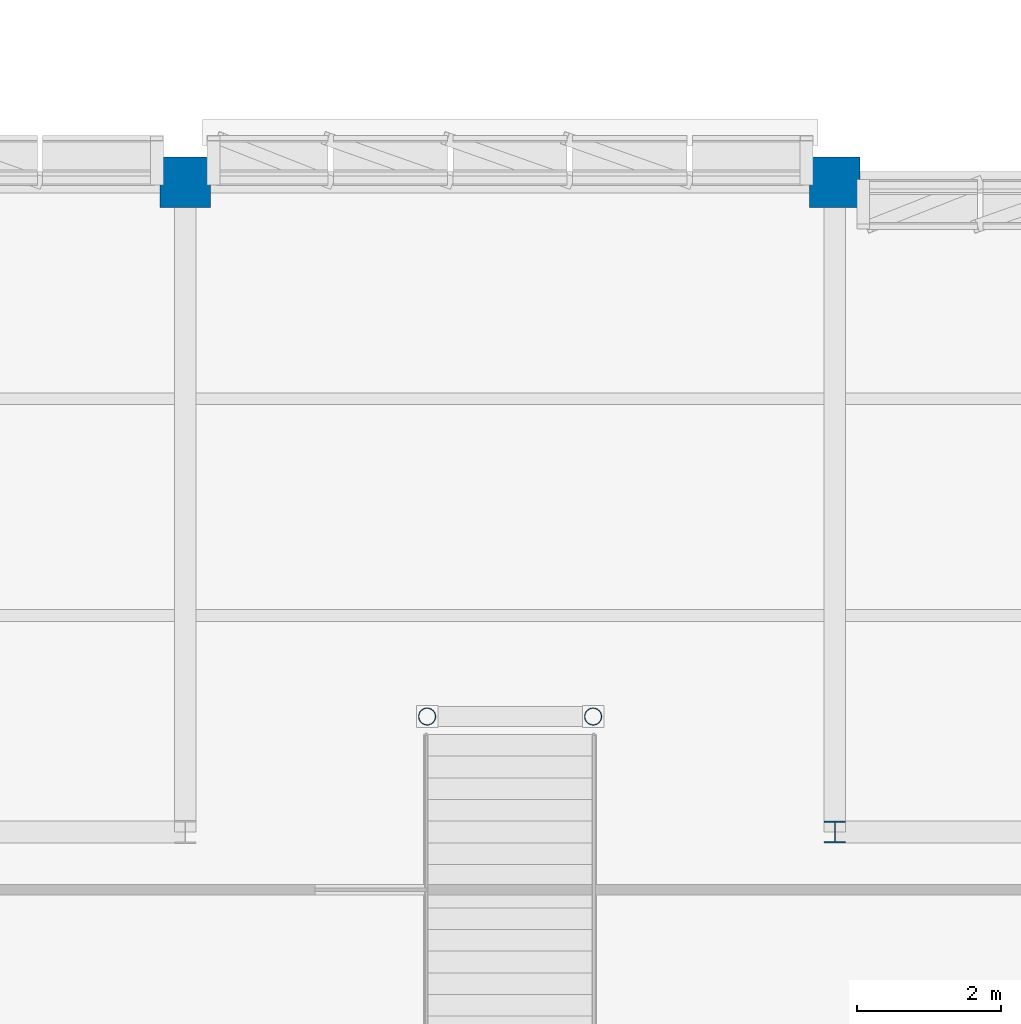
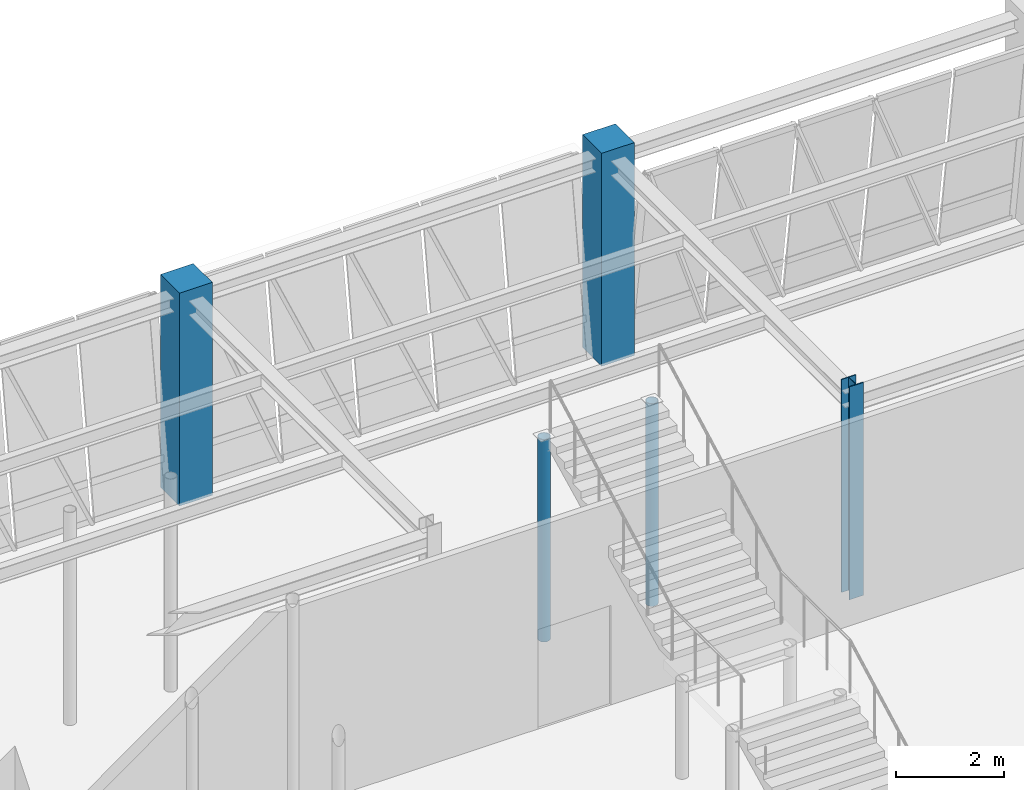
# One storey, part 10 of 98: 5 columns.
"""IFC4 building model written with IfcOpenShell, lengths in metres."""

import ifcopenshell
import ifcopenshell.guid

model = None  # the IFC model being written
_history = None  # IfcOwnerHistory: only IFC2X3 demands one
_inside = {}  # id of a spatial element -> (the spatial element, [elements in it])
_under = {}  # id of a project, library or spatial element -> (it, [spatial elements below it])
_declared = {}  # id of a project -> (the project, [libraries it declares])
_typed = {}  # id of a type object -> (the type object, [elements of that type])
_made_of = {}  # id of a material, layer set ... -> (it, [elements and type objects made of it])


def new_model(schema):
    """Start an empty IFC model of exactly this schema.

    Asked for "IFC4X3", IfcOpenShell would pick the latest addendum, in which some entities
    have other attributes; the version numbers below select the first issue.
    IFC2X3 requires an IfcOwnerHistory on every rooted entity: one is made here for all.
    """
    global model, _history
    if schema == "IFC4X3":
        model = ifcopenshell.file(schema_version=(4, 3, 0, 0))
    else:
        model = ifcopenshell.file(schema=schema)
    _inside.clear()
    _under.clear()
    _declared.clear()
    _typed.clear()
    _made_of.clear()
    _history = None
    if model.schema == "IFC2X3":
        org = make("IfcOrganization", Name="unknown")
        user = make(
            "IfcPersonAndOrganization",
            ThePerson=make("IfcPerson", FamilyName="unknown"),
            TheOrganization=org,
        )
        app = make(
            "IfcApplication",
            ApplicationDeveloper=org,
            Version="unknown",
            ApplicationFullName="unknown",
            ApplicationIdentifier="unknown",
        )
        _history = make(
            "IfcOwnerHistory",
            OwningUser=user,
            OwningApplication=app,
            ChangeAction="ADDED",
            CreationDate=0,
        )
    return model


def make(cls, **values):
    """One entity of the class cls with the attributes given. An attribute that is None is left unset."""
    return model.create_entity(
        cls, **{name: value for name, value in values.items() if value is not None}
    )


def rooted(cls, **values):
    """An entity with a GlobalId (a new one), such as an element, a storey or a relation."""
    return make(cls, GlobalId=ifcopenshell.guid.new(), OwnerHistory=_history, **values)


def si_unit(unit_type, name, prefix=None):
    """IfcSIUnit, for example si_unit("LENGTHUNIT", "METRE", prefix="MILLI")."""
    return make("IfcSIUnit", UnitType=unit_type, Prefix=prefix, Name=name)


def assignment(units):
    """IfcUnitAssignment: the units of a project."""
    return None if units is None else make("IfcUnitAssignment", Units=units)


def point(xyz):
    """IfcCartesianPoint."""
    return None if xyz is None else make("IfcCartesianPoint", Coordinates=xyz)


def direction(xyz):
    """IfcDirection."""
    return None if xyz is None else make("IfcDirection", DirectionRatios=xyz)


def frame(location, z_axis=None, x_axis=None):
    """IfcAxis2Placement3D, a coordinate frame: its origin and axes. An axis left out is left unset."""
    return make(
        "IfcAxis2Placement3D",
        Location=point(location),
        Axis=direction(z_axis),
        RefDirection=direction(x_axis),
    )


def frame_2d(location, x_axis=None):
    """IfcAxis2Placement2D, a coordinate frame in the plane: its origin and x axis."""
    return make(
        "IfcAxis2Placement2D", Location=point(location), RefDirection=direction(x_axis)
    )


def origin():
    """The frame at (0, 0, 0) with its axes left unset."""
    return frame((0.0, 0.0, 0.0))


def origin_2d():
    """The frame at (0, 0) in the plane with its x axis left unset."""
    return frame_2d((0.0, 0.0))


def place(relative_to, where):
    """IfcLocalPlacement: puts the frame where relative to a parent placement (None: the world)."""
    return make(
        "IfcLocalPlacement", PlacementRelTo=relative_to, RelativePlacement=where
    )


def context(
    kind, dimensions, precision=None, world=None, true_north=None, identifier=None
):
    """IfcGeometricRepresentationContext, for example the 3D "Model" context."""
    return make(
        "IfcGeometricRepresentationContext",
        ContextIdentifier=identifier,
        ContextType=kind,
        CoordinateSpaceDimension=dimensions,
        Precision=precision,
        WorldCoordinateSystem=world,
        TrueNorth=true_north,
    )


def subcontext(parent, identifier, kind, view, scale=None):
    """IfcGeometricRepresentationSubContext, for example "Body" below "Model"."""
    return make(
        "IfcGeometricRepresentationSubContext",
        ContextIdentifier=identifier,
        ContextType=kind,
        ParentContext=parent,
        TargetScale=scale,
        TargetView=view,
    )


def project(units=None, contexts=None):
    """IfcProject with its units and contexts."""
    return rooted(
        "IfcProject",
        Name="project",
        RepresentationContexts=contexts,
        UnitsInContext=assignment(units),
    )


def spatial(cls, under=None, at=None, **own):
    """A site, building, storey or space (cls), placed at a placement, below another one or the project."""
    s = rooted(cls, ObjectPlacement=at, **own)
    if under is not None:
        _under.setdefault(under.id(), (under, []))[1].append(s)
    return s


def profile(cls, at=None, kind="AREA", **sizes):
    """A parametric profile (cls). Its sizes go by their IFC names, for example OverallWidth=200.0."""
    return make(cls, ProfileType=kind, Position=at, **sizes)


def rectangle(**sizes):
    """IfcRectangleProfileDef."""
    return profile("IfcRectangleProfileDef", **sizes)


def hollow_circle(**sizes):
    """IfcCircleHollowProfileDef."""
    return profile("IfcCircleHollowProfileDef", **sizes)


def i_section(**sizes):
    """IfcIShapeProfileDef."""
    return profile("IfcIShapeProfileDef", **sizes)


def extrude(swept, where, along, depth):
    """IfcExtrudedAreaSolid: the profile swept, set in the frame where, extruded along a direction by depth."""
    return make(
        "IfcExtrudedAreaSolid",
        SweptArea=swept,
        Position=where,
        ExtrudedDirection=direction(along),
        Depth=depth,
    )


def shape(context_of_items, identifier, shape_type, items):
    """IfcShapeRepresentation: the items that make up one representation, for example the "Body"."""
    return make(
        "IfcShapeRepresentation",
        ContextOfItems=context_of_items,
        RepresentationIdentifier=identifier,
        RepresentationType=shape_type,
        Items=items,
    )


def material(Name=None, Category=None):
    """IfcMaterial."""
    return make("IfcMaterial", Name=Name, Category=Category)


def material_profile(
    of_material, cross_section, Name=None, Category=None, Priority=None
):
    """IfcMaterialProfile: a cross section and its material."""
    return make(
        "IfcMaterialProfile",
        Name=Name,
        Material=of_material,
        Profile=cross_section,
        Priority=Priority,
        Category=Category,
    )


def profile_set(profiles, Name=None, composite=None):
    """IfcMaterialProfileSet."""
    return make(
        "IfcMaterialProfileSet",
        Name=Name,
        MaterialProfiles=profiles,
        CompositeProfile=composite,
    )


def made_of(thing, what):
    """Note that an element or type object is made of a material, layer set ...; save() writes the relation."""
    if what is not None:
        _made_of.setdefault(what.id(), (what, []))[1].append(thing)
    return thing


def type_object(cls, material=None, **own):
    """A type object (cls), such as IfcWallType, which elements share."""
    return made_of(rooted(cls, **own), material)


def element(
    cls,
    number,
    at=None,
    inside=None,
    cuts=None,
    type_object=None,
    material=None,
    context=None,
    identifier="Body",
    shape_type=None,
    held_by="IfcProductDefinitionShape",
    body=None,
    shapes=None,
    **own,
):
    """One element of the class cls, such as IfcWall. Its Tag is "e" and its number.

    at: its placement. inside: the storey or other place that contains it. cuts: it is an
    opening in that element (IfcRelVoidsElement). A single representation is given by context,
    identifier, shape_type and body (its items); several are given by shapes. held_by: the class
    of the entity that holds the representations. save() writes the other relations.
    """
    e = rooted(cls, Tag="e%d" % number, ObjectPlacement=at, **own)
    if body is not None:
        shapes = [shape(context, identifier, shape_type, body)]
    if shapes is not None:
        e.Representation = make(held_by, Representations=shapes)
    if inside is not None:
        _inside.setdefault(inside.id(), (inside, []))[1].append(e)
    if cuts is not None:
        rooted(
            "IfcRelVoidsElement", RelatingBuildingElement=cuts, RelatedOpeningElement=e
        )
    if type_object is not None:
        _typed.setdefault(type_object.id(), (type_object, []))[1].append(e)
    return made_of(e, material)


def aggregate(whole, parts):
    """IfcRelAggregates: a whole, such as a stair, and the parts it consists of."""
    return rooted("IfcRelAggregates", RelatingObject=whole, RelatedObjects=parts)


def save(model, path):
    """Write the relations noted so far, then the file.

    IfcRelAggregates (storeys below a building ...), IfcRelContainedInSpatialStructure (elements
    in a storey), IfcRelDefinesByType, IfcRelAssociatesMaterial and IfcRelDeclares: one each for
    every whole, place, type object, material and project.
    """
    for whole, parts in _under.values():
        aggregate(whole, parts)
    for where, things in _inside.values():
        rooted(
            "IfcRelContainedInSpatialStructure",
            RelatedElements=things,
            RelatingStructure=where,
        )
    for kind, things in _typed.values():
        rooted("IfcRelDefinesByType", RelatedObjects=things, RelatingType=kind)
    for what, things in _made_of.values():
        rooted("IfcRelAssociatesMaterial", RelatedObjects=things, RelatingMaterial=what)
    for by, libraries in _declared.values():
        rooted("IfcRelDeclares", RelatingContext=by, RelatedDefinitions=libraries)
    model.write(path)


model = new_model("IFC4")

# Units and contexts
model_context = context("Model", 3, precision=1e-05, world=origin(), true_north=direction((0.0, 1.0)))
body_context = subcontext(model_context, "Body", "Model", "MODEL_VIEW")
ifc_project = project(units=[si_unit("LENGTHUNIT", "METRE"), si_unit("AREAUNIT", "SQUARE_METRE"), si_unit("VOLUMEUNIT", "CUBIC_METRE"), si_unit("PLANEANGLEUNIT", "RADIAN"), si_unit("MASSUNIT", "GRAM", prefix="KILO")], contexts=[model_context])

# Site, building, storey
site_placement = place(None, origin())
site = spatial("IfcSite", under=ifc_project, at=site_placement, CompositionType="ELEMENT")
building_placement = place(site_placement, origin())
building = spatial("IfcBuilding", under=site, at=building_placement, Name="Lykobir Media Centre", CompositionType="ELEMENT")
storey_placement = place(building_placement, frame((0.0, 0.0, 10.199951171875)))
storey = spatial("IfcBuildingStorey", under=building, at=storey_placement, Name="L02", CompositionType="ELEMENT", Elevation=10.199951171875)

# Columns
ifc_material_1 = material(Name="Concrete C40/50", Category="concrete")
ifc_material_profile_1 = material_profile(ifc_material_1, rectangle(XDim=0.699951171875, YDim=0.699951171875, at=origin_2d()), Name="RC 700x700")
ifc_profile_set_1 = profile_set([ifc_material_profile_1], Name="Concrete C40/50")
column_type_1 = type_object("IfcColumnType", Name="RC-C700-E", PredefinedType="COLUMN", material=ifc_profile_set_1)
for number, where, z_axis, x_axis, name in (
    (1, (54.0, 108.0, 0.0), (0.0, 0.0, 1.0), (1.0, 0.0, 0.0), "Column COL-L02-0540-1080"),
    (2, (63.0, 108.0, 0.0), (0.0, 0.0, 1.0), (1.0, 0.0, 0.0), "Column COL-L02-0630-1080"),
):
    element("IfcColumn", number, at=place(storey_placement, frame(where, z_axis=z_axis, x_axis=x_axis)), inside=storey, type_object=column_type_1, Name=name, PredefinedType="COLUMN", context=body_context, shape_type="SweptSolid", body=[
        extrude(rectangle(XDim=0.699951171875, YDim=0.699951171875, at=origin_2d()), origin(), (0.0, 0.0, 1.0), 4.800048828125),
    ])
ifc_material_2 = material(Name="Steel S355", Category="steel")
ifc_material_profile_2 = material_profile(ifc_material_2, hollow_circle(Radius=0.122314453125, WallThickness=0.012451171875, at=origin_2d()), Name="CHS 244.5x12.5")
ifc_profile_set_2 = profile_set([ifc_material_profile_2], Name="Steel S355")
column_type_2 = type_object("IfcColumnType", Name="SC-CHS244", PredefinedType="COLUMN", material=ifc_profile_set_2)
for number, where, z_axis, x_axis, name in (
    (3, (57.35009765625, 100.60009765625, 0.0), (0.0, 0.0, 1.0), (1.0, 0.0, 0.0), "Valley arrival column L02 A3-574"),
    (4, (59.64990234375, 100.60009765625, 0.0), (0.0, 0.0, 1.0), (1.0, 0.0, 0.0), "Valley arrival column L02 A3-596"),
):
    element("IfcColumn", number, at=place(storey_placement, frame(where, z_axis=z_axis, x_axis=x_axis)), inside=storey, type_object=column_type_2, Name=name, PredefinedType="COLUMN", context=body_context, shape_type="SweptSolid", body=[
        extrude(hollow_circle(Radius=0.122314453125, WallThickness=0.012451171875, at=origin_2d()), origin(), (0.0, 0.0, 1.0), 4.56005859375),
    ])
ifc_material_profile_3 = material_profile(ifc_material_2, i_section(OverallWidth=0.300048828125, OverallDepth=0.300048828125, WebThickness=0.010986328125, FlangeThickness=0.01904296875, at=origin_2d()), Name="HEB 300")
ifc_profile_set_3 = profile_set([ifc_material_profile_3], Name="Steel S355")
column_type_3 = type_object("IfcColumnType", Name="SC-HEB300", PredefinedType="COLUMN", material=ifc_profile_set_3)
column_placement = place(storey_placement, frame((63.0, 99.0, 0.0), z_axis=(0.0, 0.0, 1.0), x_axis=(1.0, 0.0, 0.0)))
element("IfcColumn", 5, at=column_placement, inside=storey, type_object=column_type_3, Name="Column COL-L02-0630-0990", PredefinedType="COLUMN", context=body_context, shape_type="SweptSolid", body=[
    extrude(i_section(OverallWidth=0.300048828125, OverallDepth=0.300048828125, WebThickness=0.010986328125, FlangeThickness=0.01904296875, at=origin_2d()), origin(), (0.0, 0.0, 1.0), 4.800048828125),
])

save(model, "model.ifc")
